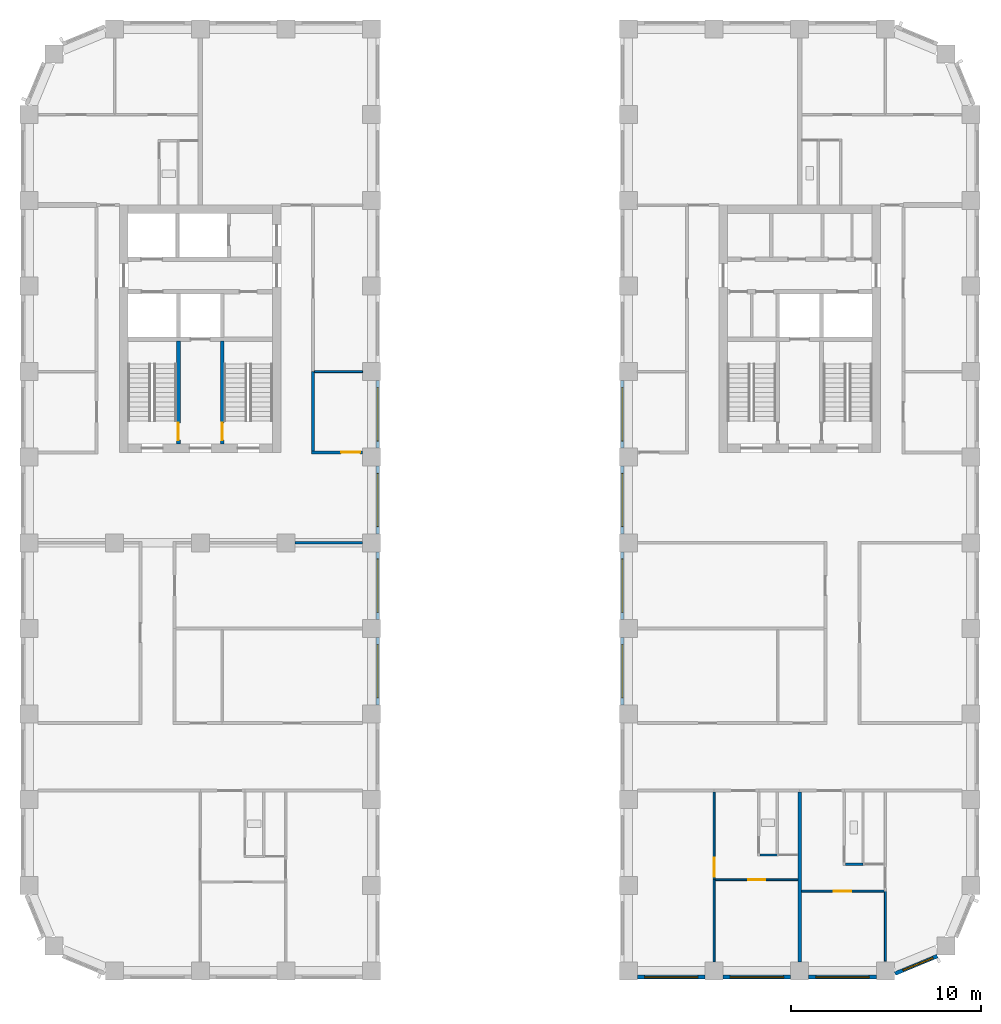
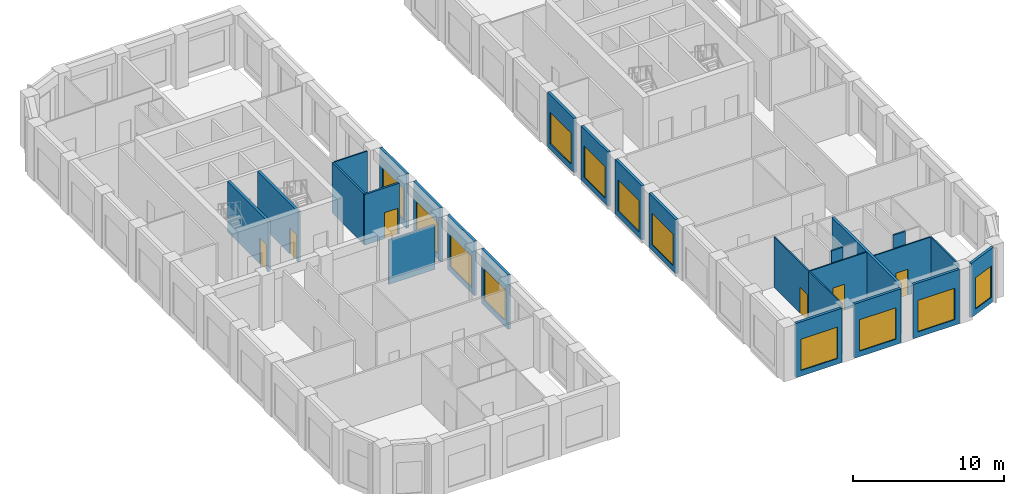
# One storey, part 4 of 13: 26 walls, 12 windows, 6 doors, 18 openings.
"""IFC4 building model written with IfcOpenShell, lengths in metres."""

from ifc_helpers import new_model, si_unit, direction, frame, frame_2d, origin, place, context, subcontext, project, spatial, rectangle, extrude, material, layer, layer_set, type_object, element, fill, save


model = new_model("IFC4")

# Units and contexts
model_context = context("Model", 3, precision=1e-05, world=origin(), true_north=direction((0.0, 1.0)))
body_context = subcontext(model_context, "Body", "Model", "MODEL_VIEW")
ifc_project = project(units=[si_unit("LENGTHUNIT", "METRE"), si_unit("AREAUNIT", "SQUARE_METRE"), si_unit("VOLUMEUNIT", "CUBIC_METRE"), si_unit("PLANEANGLEUNIT", "RADIAN"), si_unit("MASSUNIT", "GRAM", prefix="KILO")], contexts=[model_context])

# Site, building, storey
site_placement = place(None, origin())
site = spatial("IfcSite", under=ifc_project, at=site_placement, CompositionType="ELEMENT")
building_placement = place(site_placement, origin())
building = spatial("IfcBuilding", under=site, at=building_placement, Name="Girih Gate Residences", CompositionType="ELEMENT")
storey_placement = place(building_placement, frame((0.0, 0.0, 150.60009765625)))
storey = spatial("IfcBuildingStorey", under=building, at=storey_placement, Name="L42", CompositionType="ELEMENT", Elevation=150.60009765625)

# Walls
ifc_material_1 = material(Name="Gypsum board on steel studs", Category="steel")
ifc_layer_1 = layer(ifc_material_1, 0.14990234375)
ifc_layer_set_1 = layer_set([ifc_layer_1], Name="Compartment wall 150 mm")
wall_type_1 = type_object("IfcWallType", Name="Compartment wall 150 mm", PredefinedType="PARTITIONING", material=ifc_layer_set_1)
wall_1_placement = place(storey_placement, frame((13.97509765625, 22.5, 0.0), z_axis=(0.0, 0.0, 1.0), x_axis=(1.0, 0.0, 0.0)))
element("IfcWall", 1, at=wall_1_placement, inside=storey, type_object=wall_type_1, Name="L42 partition", PredefinedType="PARTITIONING", context=body_context, shape_type="SweptSolid", body=[
    extrude(rectangle(XDim=3.5498046875, YDim=0.14990234375, at=frame_2d((1.77490234375, 0.0))), origin(), (0.0, 0.0, 1.0), 3.579833984375),
])
wall_2_placement = place(storey_placement, frame((14.925048828125, 27.324951171875, 0.0), z_axis=(0.0, 0.0, 1.0), x_axis=(0.0, 1.0, 0.0)))
element("IfcWall", 2, at=wall_2_placement, inside=storey, type_object=wall_type_1, Name="L42 partition", PredefinedType="PARTITIONING", context=body_context, shape_type="SweptSolid", body=[
    extrude(rectangle(XDim=4.175048828125, YDim=0.14990234375, at=frame_2d((2.08740234375, 0.0))), origin(), (0.0, 0.0, 1.0), 4.099853515625),
])

# Wall, opening, door
wall_3_placement = place(storey_placement, frame((14.85009765625, 27.25, 0.0), z_axis=(0.0, 0.0, 1.0), x_axis=(1.0, 0.0, 0.0)))
wall_3 = element("IfcWall", 3, at=wall_3_placement, inside=storey, type_object=wall_type_1, Name="L42 partition", PredefinedType="PARTITIONING", context=body_context, shape_type="SweptSolid", body=[
    extrude(rectangle(XDim=2.6748046875, YDim=0.14990234375, at=frame_2d((1.33740234375, 0.0))), origin(), (0.0, 0.0, 1.0), 4.099853515625),
])
opening_1_placement = place(wall_3_placement, frame((1.544921875, 0.0, 0.0)))
opening_1 = element("IfcOpeningElement", 4, at=opening_1_placement, cuts=wall_3, Name="Opening A42-039", PredefinedType="OPENING", context=body_context, shape_type="SweptSolid", body=[
    extrude(rectangle(XDim=1.0, YDim=2.10009765625, at=frame_2d((0.5, 1.050048828125))), frame((0.0, 0.0849609375, 0.0), z_axis=(0.0, -1.0, 0.0), x_axis=(1.0, 0.0, 0.0)), (0.0, 0.0, 1.0), 0.169921875),
])
ifc_material_2 = material(Name="Timber, fire-rated core", Category="wood")
door_type_1 = type_object("IfcDoorType", Name="Amenity room door 1000x2100 FD30S", OperationType="NOTDEFINED", PredefinedType="DOOR", material=ifc_material_2)
door_1_placement = place(opening_1_placement, origin())
door_1 = element("IfcDoor", 5, at=door_1_placement, inside=storey, type_object=door_type_1, Name="Door A42-039", OperationType="SINGLE_SWING_RIGHT", OverallHeight=2.10009765625, OverallWidth=1.0, PredefinedType="DOOR", context=body_context, shape_type="SweptSolid", body=[
    extrude(rectangle(XDim=1.0, YDim=2.10009765625, at=frame_2d((0.5, 1.050048828125))), frame((0.0, 0.02490234375, 0.0), z_axis=(0.0, -1.0, 0.0), x_axis=(1.0, 0.0, 0.0)), (0.0, 0.0, 1.0), 0.050048828125),
])
fill(opening_1, door_1)

ifc_layer_2 = layer(ifc_material_1, 0.10009765625)
ifc_layer_set_2 = layer_set([ifc_layer_2], Name="Partition 100 mm")
wall_type_2 = type_object("IfcWallType", Name="Partition 100 mm", PredefinedType="PARTITIONING", material=ifc_layer_set_2)
wall_4_placement = place(storey_placement, frame((44.949951171875, 4.195068359375, 0.0), z_axis=(0.0, 0.0, 1.0), x_axis=(-1.0, 0.0, 0.0)))
wall_4 = element("IfcWall", 6, at=wall_4_placement, inside=storey, type_object=wall_type_2, Name="L42 partition", PredefinedType="PARTITIONING", context=body_context, shape_type="SweptSolid", body=[
    extrude(rectangle(XDim=4.349853515625, YDim=0.10009765625, at=frame_2d((2.1748046875, 0.0))), origin(), (0.0, 0.0, 1.0), 4.099853515625),
])
opening_2_placement = place(wall_4_placement, frame((1.75, 0.0, 0.0)))
opening_2 = element("IfcOpeningElement", 7, at=opening_2_placement, cuts=wall_4, Name="Opening A42-013", PredefinedType="OPENING", context=body_context, shape_type="SweptSolid", body=[
    extrude(rectangle(XDim=0.89990234375, YDim=2.10009765625, at=frame_2d((0.449951171875, 1.050048828125))), frame((0.0, 0.06005859375, 0.0), z_axis=(0.0, -1.0, 0.0), x_axis=(1.0, 0.0, 0.0)), (0.0, 0.0, 1.0), 0.1201171875),
])
ifc_material_3 = material(Name="Timber", Category="wood")
door_type_2 = type_object("IfcDoorType", Name="Bedroom door 900x2100", OperationType="NOTDEFINED", PredefinedType="DOOR", material=ifc_material_3)
door_2_placement = place(opening_2_placement, origin())
door_2 = element("IfcDoor", 8, at=door_2_placement, inside=storey, type_object=door_type_2, Name="Door A42-013", OperationType="SINGLE_SWING_RIGHT", OverallHeight=2.10009765625, OverallWidth=0.89990234375, PredefinedType="DOOR", context=body_context, shape_type="SweptSolid", body=[
    extrude(rectangle(XDim=0.89990234375, YDim=2.10009765625, at=frame_2d((0.449951171875, 1.050048828125))), frame((0.0, 0.02490234375, 0.0), z_axis=(0.0, -1.0, 0.0), x_axis=(1.0, 0.0, 0.0)), (0.0, 0.0, 1.0), 0.050048828125),
])
fill(opening_2, door_2)

# Wall
wall_5_placement = place(storey_placement, frame((45.0, 0.51416015625, 0.0), z_axis=(0.0, 0.0, 1.0), x_axis=(0.0, 1.0, 0.0)))
element("IfcWall", 9, at=wall_5_placement, inside=storey, type_object=wall_type_2, Name="L42 partition", PredefinedType="PARTITIONING", context=body_context, shape_type="SweptSolid", body=[
    extrude(rectangle(XDim=3.680908203125, YDim=0.10009765625, at=frame_2d((1.84033203125, 0.0))), origin(), (0.0, 0.0, 1.0), 4.099853515625),
])

# Wall, opening, door
wall_6_placement = place(storey_placement, frame((40.39990234375, 4.794921875, 0.0), z_axis=(0.0, 0.0, 1.0), x_axis=(-1.0, 0.0, 0.0)))
wall_6 = element("IfcWall", 10, at=wall_6_placement, inside=storey, type_object=wall_type_2, Name="L42 partition", PredefinedType="PARTITIONING", context=body_context, shape_type="SweptSolid", body=[
    extrude(rectangle(XDim=4.349853515625, YDim=0.10009765625, at=frame_2d((2.1748046875, 0.0))), origin(), (0.0, 0.0, 1.0), 4.099853515625),
])
opening_3_placement = place(wall_6_placement, frame((1.699951171875, 0.0, 0.0)))
opening_3 = element("IfcOpeningElement", 11, at=opening_3_placement, cuts=wall_6, Name="Opening A42-018", PredefinedType="OPENING", context=body_context, shape_type="SweptSolid", body=[
    extrude(rectangle(XDim=0.89990234375, YDim=2.10009765625, at=frame_2d((0.449951171875, 1.050048828125))), frame((0.0, 0.06005859375, 0.0), z_axis=(0.0, -1.0, 0.0), x_axis=(1.0, 0.0, 0.0)), (0.0, 0.0, 1.0), 0.1201171875),
])
door_3_placement = place(opening_3_placement, origin())
door_3 = element("IfcDoor", 12, at=door_3_placement, inside=storey, type_object=door_type_2, Name="Door A42-018", OperationType="SINGLE_SWING_LEFT", OverallHeight=2.10009765625, OverallWidth=0.89990234375, PredefinedType="DOOR", context=body_context, shape_type="SweptSolid", body=[
    extrude(rectangle(XDim=0.89990234375, YDim=2.10009765625, at=frame_2d((0.449951171875, 1.050048828125))), frame((0.0, 0.02490234375, 0.0), z_axis=(0.0, -1.0, 0.0), x_axis=(1.0, 0.0, 0.0)), (0.0, 0.0, 1.0), 0.050048828125),
])
fill(opening_3, door_3)

# Wall
wall_7_placement = place(storey_placement, frame((36.0, 0.47509765625, 0.0), z_axis=(0.0, 0.0, 1.0), x_axis=(0.0, 1.0, 0.0)))
element("IfcWall", 13, at=wall_7_placement, inside=storey, type_object=wall_type_2, Name="L42 partition", PredefinedType="PARTITIONING", context=body_context, shape_type="SweptSolid", body=[
    extrude(rectangle(XDim=4.31982421875, YDim=0.10009765625, at=frame_2d((2.159912109375, 0.0))), origin(), (0.0, 0.0, 1.0), 4.099853515625),
])

# Wall, opening, door
wall_8_placement = place(storey_placement, frame((36.0, 4.794921875, 0.0), z_axis=(0.0, 0.0, 1.0), x_axis=(0.0, 1.0, 0.0)))
wall_8 = element("IfcWall", 14, at=wall_8_placement, inside=storey, type_object=wall_type_2, Name="L42 partition", PredefinedType="PARTITIONING", context=body_context, shape_type="SweptSolid", body=[
    extrude(rectangle(XDim=4.60498046875, YDim=0.10009765625, at=frame_2d((2.302490234375, 0.0))), origin(), (0.0, 0.0, 1.0), 4.099853515625),
])
opening_4_placement = place(wall_8_placement, frame((0.14990234375, 0.0, 0.0)))
opening_4 = element("IfcOpeningElement", 15, at=opening_4_placement, cuts=wall_8, Name="Opening A42-020", PredefinedType="OPENING", context=body_context, shape_type="SweptSolid", body=[
    extrude(rectangle(XDim=1.0, YDim=2.10009765625, at=frame_2d((0.5, 1.050048828125))), frame((0.0, 0.06005859375, 0.0), z_axis=(0.0, -1.0, 0.0), x_axis=(1.0, 0.0, 0.0)), (0.0, 0.0, 1.0), 0.1201171875),
])
door_type_3 = type_object("IfcDoorType", Name="Living room door 1000x2100", OperationType="NOTDEFINED", PredefinedType="DOOR", material=ifc_material_3)
door_4_placement = place(opening_4_placement, origin())
door_4 = element("IfcDoor", 16, at=door_4_placement, inside=storey, type_object=door_type_3, Name="Door A42-020", OperationType="SINGLE_SWING_LEFT", OverallHeight=2.10009765625, OverallWidth=1.0, PredefinedType="DOOR", context=body_context, shape_type="SweptSolid", body=[
    extrude(rectangle(XDim=1.0, YDim=2.10009765625, at=frame_2d((0.5, 1.050048828125))), frame((0.0, 0.02490234375, 0.0), z_axis=(0.0, -1.0, 0.0), x_axis=(1.0, 0.0, 0.0)), (0.0, 0.0, 1.0), 0.050048828125),
])
fill(opening_4, door_4)

# Walls
wall_9_placement = place(storey_placement, frame((15.0, 31.5, 0.0), z_axis=(0.0, 0.0, 1.0), x_axis=(1.0, 0.0, 0.0)))
element("IfcWall", 17, at=wall_9_placement, inside=storey, type_object=wall_type_2, Name="L42 partition", PredefinedType="PARTITIONING", context=body_context, shape_type="SweptSolid", body=[
    extrude(rectangle(XDim=2.52490234375, YDim=0.10009765625, at=frame_2d((1.262451171875, 0.0))), origin(), (0.0, 0.0, 1.0), 4.099853515625),
])
ifc_layer_3 = layer(ifc_material_1, 0.199951171875)
ifc_layer_set_3 = layer_set([ifc_layer_3], Name="Party wall 200 mm")
wall_type_3 = type_object("IfcWallType", Name="Party wall 200 mm", PredefinedType="PARTITIONING", material=ifc_layer_set_3)
wall_10_placement = place(storey_placement, frame((40.5, 0.47509765625, 0.0), z_axis=(0.0, 0.0, 1.0), x_axis=(0.0, 1.0, 0.0)))
element("IfcWall", 18, at=wall_10_placement, inside=storey, type_object=wall_type_3, Name="L42 partition", PredefinedType="PARTITIONING", context=body_context, shape_type="SweptSolid", body=[
    extrude(rectangle(XDim=8.9248046875, YDim=0.199951171875, at=frame_2d((4.46240234375, 0.0))), origin(), (0.0, 0.0, 1.0), 4.099853515625),
])

# Wall, opening, window
ifc_material_4 = material(Name="Precast concrete C50/60", Category="concrete")
ifc_layer_4 = layer(ifc_material_4, 0.06005859375, Name="Outer leaf")
ifc_material_5 = material(Name="Rigid PIR insulation")
ifc_layer_5 = layer(ifc_material_5, 0.090087890625, Name="Insulation")
ifc_material_6 = material(Name="Precast concrete C40/50", Category="concrete")
ifc_layer_6 = layer(ifc_material_6, 0.050048828125, Name="Inner leaf")
ifc_layer_set_4 = layer_set([ifc_layer_4, ifc_layer_5, ifc_layer_6], Name="Precast concrete C50/60 external wall 200")
wall_type_4 = type_object("IfcWallType", Name="Precast concrete C50/60 external wall 200", PredefinedType="SOLIDWALL", material=ifc_layer_set_4)
wall_11_placement = place(storey_placement, frame((18.324951171875, 17.52490234375, 0.0), z_axis=(0.0, 0.0, 1.0), x_axis=(0.0, -1.0, 0.0)))
wall_11 = element("IfcWall", 19, at=wall_11_placement, inside=storey, type_object=wall_type_4, Name="External wall E0180_0000.3", PredefinedType="SOLIDWALL", context=body_context, shape_type="SweptSolid", body=[
    extrude(rectangle(XDim=3.5498046875, YDim=0.199951171875, at=frame_2d((1.77490234375, 0.0))), origin(), (0.0, 0.0, 1.0), 4.39990234375),
])
opening_5_placement = place(wall_11_placement, frame((0.375, 0.0, 0.449951171875)))
opening_5 = element("IfcOpeningElement", 20, at=opening_5_placement, cuts=wall_11, Name="Opening W-6A", PredefinedType="OPENING", context=body_context, shape_type="SweptSolid", body=[
    extrude(rectangle(XDim=2.800048828125, YDim=2.550048828125, at=frame_2d((1.39990234375, 1.27490234375))), frame((0.0, 0.10986328125, 0.0), z_axis=(0.0, -1.0, 0.0), x_axis=(1.0, 0.0, 0.0)), (0.0, 0.0, 1.0), 0.219970703125),
])
ifc_material_7 = material(Name="Double glazing in aluminium frame", Category="aluminium")
window_type_1 = type_object("IfcWindowType", Name="Window W-6A 2800x2550", PartitioningType="SINGLE_PANEL", PredefinedType="WINDOW", material=ifc_material_7)
window_1_placement = place(opening_5_placement, origin())
window_1 = element("IfcWindow", 21, at=window_1_placement, inside=storey, type_object=window_type_1, Name="Window W-6A E0180_0000.3", OverallHeight=2.550048828125, OverallWidth=2.800048828125, PartitioningType="SINGLE_PANEL", PredefinedType="WINDOW", context=body_context, shape_type="SweptSolid", body=[
    extrude(rectangle(XDim=2.800048828125, YDim=2.550048828125, at=frame_2d((1.39990234375, 1.27490234375))), frame((0.0, 0.030029296875, 0.0), z_axis=(0.0, -1.0, 0.0), x_axis=(1.0, 0.0, 0.0)), (0.0, 0.0, 1.0), 0.06005859375),
])
fill(opening_5, window_1)

wall_12_placement = place(storey_placement, frame((18.324951171875, 22.02490234375, 0.0), z_axis=(0.0, 0.0, 1.0), x_axis=(0.0, -1.0, 0.0)))
wall_12 = element("IfcWall", 22, at=wall_12_placement, inside=storey, type_object=wall_type_4, Name="External wall E0180_0000.4", PredefinedType="SOLIDWALL", context=body_context, shape_type="SweptSolid", body=[
    extrude(rectangle(XDim=3.5498046875, YDim=0.199951171875, at=frame_2d((1.77490234375, 0.0))), origin(), (0.0, 0.0, 1.0), 4.39990234375),
])
opening_6_placement = place(wall_12_placement, frame((0.375, 0.0, 0.449951171875)))
opening_6 = element("IfcOpeningElement", 23, at=opening_6_placement, cuts=wall_12, Name="Opening W-6A", PredefinedType="OPENING", context=body_context, shape_type="SweptSolid", body=[
    extrude(rectangle(XDim=2.800048828125, YDim=2.550048828125, at=frame_2d((1.39990234375, 1.27490234375))), frame((0.0, 0.10986328125, 0.0), z_axis=(0.0, -1.0, 0.0), x_axis=(1.0, 0.0, 0.0)), (0.0, 0.0, 1.0), 0.219970703125),
])
window_2_placement = place(opening_6_placement, origin())
window_2 = element("IfcWindow", 24, at=window_2_placement, inside=storey, type_object=window_type_1, Name="Window W-6A E0180_0000.4", OverallHeight=2.550048828125, OverallWidth=2.800048828125, PartitioningType="SINGLE_PANEL", PredefinedType="WINDOW", context=body_context, shape_type="SweptSolid", body=[
    extrude(rectangle(XDim=2.800048828125, YDim=2.550048828125, at=frame_2d((1.39990234375, 1.27490234375))), frame((0.0, 0.030029296875, 0.0), z_axis=(0.0, -1.0, 0.0), x_axis=(1.0, 0.0, 0.0)), (0.0, 0.0, 1.0), 0.06005859375),
])
fill(opening_6, window_2)

wall_13_placement = place(storey_placement, frame((18.324951171875, 26.52490234375, 0.0), z_axis=(0.0, 0.0, 1.0), x_axis=(0.0, -1.0, 0.0)))
wall_13 = element("IfcWall", 25, at=wall_13_placement, inside=storey, type_object=wall_type_4, Name="External wall E0180_0000.5", PredefinedType="SOLIDWALL", context=body_context, shape_type="SweptSolid", body=[
    extrude(rectangle(XDim=3.5498046875, YDim=0.199951171875, at=frame_2d((1.77490234375, 0.0))), origin(), (0.0, 0.0, 1.0), 4.39990234375),
])
opening_7_placement = place(wall_13_placement, frame((0.375, 0.0, 0.449951171875)))
opening_7 = element("IfcOpeningElement", 26, at=opening_7_placement, cuts=wall_13, Name="Opening W-6A", PredefinedType="OPENING", context=body_context, shape_type="SweptSolid", body=[
    extrude(rectangle(XDim=2.800048828125, YDim=2.550048828125, at=frame_2d((1.39990234375, 1.27490234375))), frame((0.0, 0.10986328125, 0.0), z_axis=(0.0, -1.0, 0.0), x_axis=(1.0, 0.0, 0.0)), (0.0, 0.0, 1.0), 0.219970703125),
])
window_3_placement = place(opening_7_placement, origin())
window_3 = element("IfcWindow", 27, at=window_3_placement, inside=storey, type_object=window_type_1, Name="Window W-6A E0180_0000.5", OverallHeight=2.550048828125, OverallWidth=2.800048828125, PartitioningType="SINGLE_PANEL", PredefinedType="WINDOW", context=body_context, shape_type="SweptSolid", body=[
    extrude(rectangle(XDim=2.800048828125, YDim=2.550048828125, at=frame_2d((1.39990234375, 1.27490234375))), frame((0.0, 0.030029296875, 0.0), z_axis=(0.0, -1.0, 0.0), x_axis=(1.0, 0.0, 0.0)), (0.0, 0.0, 1.0), 0.06005859375),
])
fill(opening_7, window_3)

wall_14_placement = place(storey_placement, frame((18.324951171875, 31.02490234375, 0.0), z_axis=(0.0, 0.0, 1.0), x_axis=(0.0, -1.0, 0.0)))
wall_14 = element("IfcWall", 28, at=wall_14_placement, inside=storey, type_object=wall_type_4, Name="External wall E0180_0000.6", PredefinedType="SOLIDWALL", context=body_context, shape_type="SweptSolid", body=[
    extrude(rectangle(XDim=3.5498046875, YDim=0.199951171875, at=frame_2d((1.77490234375, 0.0))), origin(), (0.0, 0.0, 1.0), 4.39990234375),
])
opening_8_placement = place(wall_14_placement, frame((0.375, 0.0, 0.449951171875)))
opening_8 = element("IfcOpeningElement", 29, at=opening_8_placement, cuts=wall_14, Name="Opening W-6A", PredefinedType="OPENING", context=body_context, shape_type="SweptSolid", body=[
    extrude(rectangle(XDim=2.800048828125, YDim=2.550048828125, at=frame_2d((1.39990234375, 1.27490234375))), frame((0.0, 0.10986328125, 0.0), z_axis=(0.0, -1.0, 0.0), x_axis=(1.0, 0.0, 0.0)), (0.0, 0.0, 1.0), 0.219970703125),
])
window_4_placement = place(opening_8_placement, origin())
window_4 = element("IfcWindow", 30, at=window_4_placement, inside=storey, type_object=window_type_1, Name="Window W-6A E0180_0000.6", OverallHeight=2.550048828125, OverallWidth=2.800048828125, PartitioningType="SINGLE_PANEL", PredefinedType="WINDOW", context=body_context, shape_type="SweptSolid", body=[
    extrude(rectangle(XDim=2.800048828125, YDim=2.550048828125, at=frame_2d((1.39990234375, 1.27490234375))), frame((0.0, 0.030029296875, 0.0), z_axis=(0.0, -1.0, 0.0), x_axis=(1.0, 0.0, 0.0)), (0.0, 0.0, 1.0), 0.06005859375),
])
fill(opening_8, window_4)

wall_15_placement = place(storey_placement, frame((35.52490234375, -0.324951171875, 0.0), z_axis=(0.0, 0.0, 1.0), x_axis=(-1.0, 0.0, 0.0)))
wall_15 = element("IfcWall", 31, at=wall_15_placement, inside=storey, type_object=wall_type_4, Name="External wall S0315_0000.0", PredefinedType="SOLIDWALL", context=body_context, shape_type="SweptSolid", body=[
    extrude(rectangle(XDim=3.5498046875, YDim=0.199951171875, at=frame_2d((1.77490234375, 0.0))), origin(), (0.0, 0.0, 1.0), 4.39990234375),
])
opening_9_placement = place(wall_15_placement, frame((0.375, 0.0, 0.449951171875)))
opening_9 = element("IfcOpeningElement", 32, at=opening_9_placement, cuts=wall_15, Name="Opening W-6A", PredefinedType="OPENING", context=body_context, shape_type="SweptSolid", body=[
    extrude(rectangle(XDim=2.800048828125, YDim=2.550048828125, at=frame_2d((1.39990234375, 1.27490234375))), frame((0.0, 0.10986328125, 0.0), z_axis=(0.0, -1.0, 0.0), x_axis=(1.0, 0.0, 0.0)), (0.0, 0.0, 1.0), 0.219970703125),
])
window_5_placement = place(opening_9_placement, origin())
window_5 = element("IfcWindow", 33, at=window_5_placement, inside=storey, type_object=window_type_1, Name="Window W-6A S0315_0000.0", OverallHeight=2.550048828125, OverallWidth=2.800048828125, PartitioningType="SINGLE_PANEL", PredefinedType="WINDOW", context=body_context, shape_type="SweptSolid", body=[
    extrude(rectangle(XDim=2.800048828125, YDim=2.550048828125, at=frame_2d((1.39990234375, 1.27490234375))), frame((0.0, 0.030029296875, 0.0), z_axis=(0.0, -1.0, 0.0), x_axis=(1.0, 0.0, 0.0)), (0.0, 0.0, 1.0), 0.06005859375),
])
fill(opening_9, window_5)

wall_16_placement = place(storey_placement, frame((40.02490234375, -0.324951171875, 0.0), z_axis=(0.0, 0.0, 1.0), x_axis=(-1.0, 0.0, 0.0)))
wall_16 = element("IfcWall", 34, at=wall_16_placement, inside=storey, type_object=wall_type_4, Name="External wall S0315_0000.1", PredefinedType="SOLIDWALL", context=body_context, shape_type="SweptSolid", body=[
    extrude(rectangle(XDim=3.5498046875, YDim=0.199951171875, at=frame_2d((1.77490234375, 0.0))), origin(), (0.0, 0.0, 1.0), 4.39990234375),
])
opening_10_placement = place(wall_16_placement, frame((0.375, 0.0, 0.449951171875)))
opening_10 = element("IfcOpeningElement", 35, at=opening_10_placement, cuts=wall_16, Name="Opening W-6A", PredefinedType="OPENING", context=body_context, shape_type="SweptSolid", body=[
    extrude(rectangle(XDim=2.800048828125, YDim=2.550048828125, at=frame_2d((1.39990234375, 1.27490234375))), frame((0.0, 0.10986328125, 0.0), z_axis=(0.0, -1.0, 0.0), x_axis=(1.0, 0.0, 0.0)), (0.0, 0.0, 1.0), 0.219970703125),
])
window_6_placement = place(opening_10_placement, origin())
window_6 = element("IfcWindow", 36, at=window_6_placement, inside=storey, type_object=window_type_1, Name="Window W-6A S0315_0000.1", OverallHeight=2.550048828125, OverallWidth=2.800048828125, PartitioningType="SINGLE_PANEL", PredefinedType="WINDOW", context=body_context, shape_type="SweptSolid", body=[
    extrude(rectangle(XDim=2.800048828125, YDim=2.550048828125, at=frame_2d((1.39990234375, 1.27490234375))), frame((0.0, 0.030029296875, 0.0), z_axis=(0.0, -1.0, 0.0), x_axis=(1.0, 0.0, 0.0)), (0.0, 0.0, 1.0), 0.06005859375),
])
fill(opening_10, window_6)

wall_17_placement = place(storey_placement, frame((44.52490234375, -0.324951171875, 0.0), z_axis=(0.0, 0.0, 1.0), x_axis=(-1.0, 0.0, 0.0)))
wall_17 = element("IfcWall", 37, at=wall_17_placement, inside=storey, type_object=wall_type_4, Name="External wall S0315_0000.2", PredefinedType="SOLIDWALL", context=body_context, shape_type="SweptSolid", body=[
    extrude(rectangle(XDim=3.5498046875, YDim=0.199951171875, at=frame_2d((1.77490234375, 0.0))), origin(), (0.0, 0.0, 1.0), 4.39990234375),
])
opening_11_placement = place(wall_17_placement, frame((0.375, 0.0, 0.449951171875)))
opening_11 = element("IfcOpeningElement", 38, at=opening_11_placement, cuts=wall_17, Name="Opening W-6A", PredefinedType="OPENING", context=body_context, shape_type="SweptSolid", body=[
    extrude(rectangle(XDim=2.800048828125, YDim=2.550048828125, at=frame_2d((1.39990234375, 1.27490234375))), frame((0.0, 0.10986328125, 0.0), z_axis=(0.0, -1.0, 0.0), x_axis=(1.0, 0.0, 0.0)), (0.0, 0.0, 1.0), 0.219970703125),
])
window_7_placement = place(opening_11_placement, origin())
window_7 = element("IfcWindow", 39, at=window_7_placement, inside=storey, type_object=window_type_1, Name="Window W-6A S0315_0000.2", OverallHeight=2.550048828125, OverallWidth=2.800048828125, PartitioningType="SINGLE_PANEL", PredefinedType="WINDOW", context=body_context, shape_type="SweptSolid", body=[
    extrude(rectangle(XDim=2.800048828125, YDim=2.550048828125, at=frame_2d((1.39990234375, 1.27490234375))), frame((0.0, 0.030029296875, 0.0), z_axis=(0.0, -1.0, 0.0), x_axis=(1.0, 0.0, 0.0)), (0.0, 0.0, 1.0), 0.06005859375),
])
fill(opening_11, window_7)

wall_18_placement = place(storey_placement, frame((47.73291015625, 0.7802734375, 0.0), z_axis=(0.0, 0.0, 1.0), x_axis=(-0.923880599843, -0.382680855588, 0.0)))
wall_18 = element("IfcWall", 40, at=wall_18_placement, inside=storey, type_object=wall_type_4, Name="External wall SE0450_0000.0", PredefinedType="SOLIDWALL", context=body_context, shape_type="SweptSolid", body=[
    extrude(rectangle(XDim=2.402587890625, YDim=0.199951171875, at=frame_2d((1.201171875, 0.0))), origin(), (0.0, 0.0, 1.0), 4.39990234375),
])
opening_12_placement = place(wall_18_placement, frame((0.25146484375, 0.0, 0.449951171875)))
opening_12 = element("IfcOpeningElement", 41, at=opening_12_placement, cuts=wall_18, Name="Opening W-2F", PredefinedType="OPENING", context=body_context, shape_type="SweptSolid", body=[
    extrude(rectangle(XDim=1.699951171875, YDim=2.550048828125, at=frame_2d((0.85009765625, 1.27490234375))), frame((0.0, 0.10986328125, 0.0), z_axis=(0.0, -1.0, 0.0), x_axis=(1.0, 0.0, 0.0)), (0.0, 0.0, 1.0), 0.219970703125),
])
window_type_2 = type_object("IfcWindowType", Name="Window W-2F 1700x2550", PartitioningType="SINGLE_PANEL", PredefinedType="WINDOW", material=ifc_material_7)
window_8_placement = place(opening_12_placement, origin())
window_8 = element("IfcWindow", 42, at=window_8_placement, inside=storey, type_object=window_type_2, Name="Window W-2F SE0450_0000.0", OverallHeight=2.550048828125, OverallWidth=1.699951171875, PartitioningType="SINGLE_PANEL", PredefinedType="WINDOW", context=body_context, shape_type="SweptSolid", body=[
    extrude(rectangle(XDim=1.699951171875, YDim=2.550048828125, at=frame_2d((0.85009765625, 1.27490234375))), frame((0.0, 0.030029296875, 0.0), z_axis=(0.0, -1.0, 0.0), x_axis=(1.0, 0.0, 0.0)), (0.0, 0.0, 1.0), 0.06005859375),
])
fill(opening_12, window_8)

wall_19_placement = place(storey_placement, frame((31.175048828125, 27.47509765625, 0.0), z_axis=(0.0, 0.0, 1.0), x_axis=(0.0, 1.0, 0.0)))
wall_19 = element("IfcWall", 43, at=wall_19_placement, inside=storey, type_object=wall_type_4, Name="External wall W0315_0495.4", PredefinedType="SOLIDWALL", context=body_context, shape_type="SweptSolid", body=[
    extrude(rectangle(XDim=3.5498046875, YDim=0.199951171875, at=frame_2d((1.77490234375, 0.0))), origin(), (0.0, 0.0, 1.0), 4.39990234375),
])
opening_13_placement = place(wall_19_placement, frame((0.375, 0.0, 0.449951171875)))
opening_13 = element("IfcOpeningElement", 44, at=opening_13_placement, cuts=wall_19, Name="Opening W-6A", PredefinedType="OPENING", context=body_context, shape_type="SweptSolid", body=[
    extrude(rectangle(XDim=2.800048828125, YDim=2.550048828125, at=frame_2d((1.39990234375, 1.27490234375))), frame((0.0, 0.10986328125, 0.0), z_axis=(0.0, -1.0, 0.0), x_axis=(1.0, 0.0, 0.0)), (0.0, 0.0, 1.0), 0.219970703125),
])
window_9_placement = place(opening_13_placement, origin())
window_9 = element("IfcWindow", 45, at=window_9_placement, inside=storey, type_object=window_type_1, Name="Window W-6A W0315_0495.4", OverallHeight=2.550048828125, OverallWidth=2.800048828125, PartitioningType="SINGLE_PANEL", PredefinedType="WINDOW", context=body_context, shape_type="SweptSolid", body=[
    extrude(rectangle(XDim=2.800048828125, YDim=2.550048828125, at=frame_2d((1.39990234375, 1.27490234375))), frame((0.0, 0.030029296875, 0.0), z_axis=(0.0, -1.0, 0.0), x_axis=(1.0, 0.0, 0.0)), (0.0, 0.0, 1.0), 0.06005859375),
])
fill(opening_13, window_9)

wall_20_placement = place(storey_placement, frame((31.175048828125, 22.97509765625, 0.0), z_axis=(0.0, 0.0, 1.0), x_axis=(0.0, 1.0, 0.0)))
wall_20 = element("IfcWall", 46, at=wall_20_placement, inside=storey, type_object=wall_type_4, Name="External wall W0315_0495.5", PredefinedType="SOLIDWALL", context=body_context, shape_type="SweptSolid", body=[
    extrude(rectangle(XDim=3.5498046875, YDim=0.199951171875, at=frame_2d((1.77490234375, 0.0))), origin(), (0.0, 0.0, 1.0), 4.39990234375),
])
opening_14_placement = place(wall_20_placement, frame((0.375, 0.0, 0.449951171875)))
opening_14 = element("IfcOpeningElement", 47, at=opening_14_placement, cuts=wall_20, Name="Opening W-6A", PredefinedType="OPENING", context=body_context, shape_type="SweptSolid", body=[
    extrude(rectangle(XDim=2.800048828125, YDim=2.550048828125, at=frame_2d((1.39990234375, 1.27490234375))), frame((0.0, 0.10986328125, 0.0), z_axis=(0.0, -1.0, 0.0), x_axis=(1.0, 0.0, 0.0)), (0.0, 0.0, 1.0), 0.219970703125),
])
window_10_placement = place(opening_14_placement, origin())
window_10 = element("IfcWindow", 48, at=window_10_placement, inside=storey, type_object=window_type_1, Name="Window W-6A W0315_0495.5", OverallHeight=2.550048828125, OverallWidth=2.800048828125, PartitioningType="SINGLE_PANEL", PredefinedType="WINDOW", context=body_context, shape_type="SweptSolid", body=[
    extrude(rectangle(XDim=2.800048828125, YDim=2.550048828125, at=frame_2d((1.39990234375, 1.27490234375))), frame((0.0, 0.030029296875, 0.0), z_axis=(0.0, -1.0, 0.0), x_axis=(1.0, 0.0, 0.0)), (0.0, 0.0, 1.0), 0.06005859375),
])
fill(opening_14, window_10)

wall_21_placement = place(storey_placement, frame((31.175048828125, 18.47509765625, 0.0), z_axis=(0.0, 0.0, 1.0), x_axis=(0.0, 1.0, 0.0)))
wall_21 = element("IfcWall", 49, at=wall_21_placement, inside=storey, type_object=wall_type_4, Name="External wall W0315_0495.6", PredefinedType="SOLIDWALL", context=body_context, shape_type="SweptSolid", body=[
    extrude(rectangle(XDim=3.5498046875, YDim=0.199951171875, at=frame_2d((1.77490234375, 0.0))), origin(), (0.0, 0.0, 1.0), 4.39990234375),
])
opening_15_placement = place(wall_21_placement, frame((0.375, 0.0, 0.449951171875)))
opening_15 = element("IfcOpeningElement", 50, at=opening_15_placement, cuts=wall_21, Name="Opening W-6A", PredefinedType="OPENING", context=body_context, shape_type="SweptSolid", body=[
    extrude(rectangle(XDim=2.800048828125, YDim=2.550048828125, at=frame_2d((1.39990234375, 1.27490234375))), frame((0.0, 0.10986328125, 0.0), z_axis=(0.0, -1.0, 0.0), x_axis=(1.0, 0.0, 0.0)), (0.0, 0.0, 1.0), 0.219970703125),
])
window_11_placement = place(opening_15_placement, origin())
window_11 = element("IfcWindow", 51, at=window_11_placement, inside=storey, type_object=window_type_1, Name="Window W-6A W0315_0495.6", OverallHeight=2.550048828125, OverallWidth=2.800048828125, PartitioningType="SINGLE_PANEL", PredefinedType="WINDOW", context=body_context, shape_type="SweptSolid", body=[
    extrude(rectangle(XDim=2.800048828125, YDim=2.550048828125, at=frame_2d((1.39990234375, 1.27490234375))), frame((0.0, 0.030029296875, 0.0), z_axis=(0.0, -1.0, 0.0), x_axis=(1.0, 0.0, 0.0)), (0.0, 0.0, 1.0), 0.06005859375),
])
fill(opening_15, window_11)

wall_22_placement = place(storey_placement, frame((31.175048828125, 13.97509765625, 0.0), z_axis=(0.0, 0.0, 1.0), x_axis=(0.0, 1.0, 0.0)))
wall_22 = element("IfcWall", 52, at=wall_22_placement, inside=storey, type_object=wall_type_4, Name="External wall W0315_0495.7", PredefinedType="SOLIDWALL", context=body_context, shape_type="SweptSolid", body=[
    extrude(rectangle(XDim=3.5498046875, YDim=0.199951171875, at=frame_2d((1.77490234375, 0.0))), origin(), (0.0, 0.0, 1.0), 4.39990234375),
])
opening_16_placement = place(wall_22_placement, frame((0.375, 0.0, 0.449951171875)))
opening_16 = element("IfcOpeningElement", 53, at=opening_16_placement, cuts=wall_22, Name="Opening W-6A", PredefinedType="OPENING", context=body_context, shape_type="SweptSolid", body=[
    extrude(rectangle(XDim=2.800048828125, YDim=2.550048828125, at=frame_2d((1.39990234375, 1.27490234375))), frame((0.0, 0.10986328125, 0.0), z_axis=(0.0, -1.0, 0.0), x_axis=(1.0, 0.0, 0.0)), (0.0, 0.0, 1.0), 0.219970703125),
])
window_12_placement = place(opening_16_placement, origin())
window_12 = element("IfcWindow", 54, at=window_12_placement, inside=storey, type_object=window_type_1, Name="Window W-6A W0315_0495.7", OverallHeight=2.550048828125, OverallWidth=2.800048828125, PartitioningType="SINGLE_PANEL", PredefinedType="WINDOW", context=body_context, shape_type="SweptSolid", body=[
    extrude(rectangle(XDim=2.800048828125, YDim=2.550048828125, at=frame_2d((1.39990234375, 1.27490234375))), frame((0.0, 0.030029296875, 0.0), z_axis=(0.0, -1.0, 0.0), x_axis=(1.0, 0.0, 0.0)), (0.0, 0.0, 1.0), 0.06005859375),
])
fill(opening_16, window_12)

# Wall, opening, door
ifc_material_8 = material(Name="Concrete C40/50", Category="concrete")
ifc_layer_7 = layer(ifc_material_8, 0.199951171875)
ifc_layer_set_5 = layer_set([ifc_layer_7], Name="Shaft wall 200")
wall_type_5 = type_object("IfcWallType", Name="Shaft wall 200", PredefinedType="SOLIDWALL", material=ifc_layer_set_5)
wall_23_placement = place(storey_placement, frame((7.85009765625, 27.699951171875, 0.0), z_axis=(0.0, 0.0, 1.0), x_axis=(0.0, 1.0, 0.0)))
wall_23 = element("IfcWall", 55, at=wall_23_placement, inside=storey, type_object=wall_type_5, Name="L42 W core wall V1a", PredefinedType="SOLIDWALL", context=body_context, shape_type="SweptSolid", body=[
    extrude(rectangle(XDim=5.400146484375, YDim=0.199951171875, at=frame_2d((2.7001953125, 0.0))), origin(), (0.0, 0.0, 1.0), 4.099853515625),
])
opening_17_placement = place(wall_23_placement, frame((0.199951171875, 0.0, 0.0)))
opening_17 = element("IfcOpeningElement", 56, at=opening_17_placement, cuts=wall_23, Name="Opening D-L42-W-001", PredefinedType="OPENING", context=body_context, shape_type="SweptSolid", body=[
    extrude(rectangle(XDim=0.89990234375, YDim=2.10009765625, at=frame_2d((0.449951171875, 1.050048828125))), frame((0.0, 0.10986328125, 0.0), z_axis=(0.0, -1.0, 0.0), x_axis=(1.0, 0.0, 0.0)), (0.0, 0.0, 1.0), 0.219970703125),
])
ifc_material_9 = material(Name="Painted steel, fire-resisting", Category="steel")
door_type_4 = type_object("IfcDoorType", Name="Fire door 900x2100", OperationType="SINGLE_SWING_LEFT", PredefinedType="DOOR", material=ifc_material_9)
door_5_placement = place(opening_17_placement, origin())
door_5 = element("IfcDoor", 57, at=door_5_placement, inside=storey, type_object=door_type_4, Name="L42 W door stair 1 to firefighting lobby", OperationType="SINGLE_SWING_LEFT", OverallHeight=2.10009765625, OverallWidth=0.89990234375, PredefinedType="DOOR", context=body_context, shape_type="SweptSolid", body=[
    extrude(rectangle(XDim=0.89990234375, YDim=2.10009765625, at=frame_2d((0.449951171875, 1.050048828125))), frame((0.0, 0.02490234375, 0.0), z_axis=(0.0, -1.0, 0.0), x_axis=(1.0, 0.0, 0.0)), (0.0, 0.0, 1.0), 0.050048828125),
])
fill(opening_17, door_5)

wall_24_placement = place(storey_placement, frame((10.14990234375, 27.699951171875, 0.0), z_axis=(0.0, 0.0, 1.0), x_axis=(0.0, 1.0, 0.0)))
wall_24 = element("IfcWall", 58, at=wall_24_placement, inside=storey, type_object=wall_type_5, Name="L42 W core wall V2a", PredefinedType="SOLIDWALL", context=body_context, shape_type="SweptSolid", body=[
    extrude(rectangle(XDim=5.400146484375, YDim=0.199951171875, at=frame_2d((2.7001953125, 0.0))), origin(), (0.0, 0.0, 1.0), 4.099853515625),
])
opening_18_placement = place(wall_24_placement, frame((0.199951171875, 0.0, 0.0)))
opening_18 = element("IfcOpeningElement", 59, at=opening_18_placement, cuts=wall_24, Name="Opening D-L42-W-002", PredefinedType="OPENING", context=body_context, shape_type="SweptSolid", body=[
    extrude(rectangle(XDim=0.89990234375, YDim=2.10009765625, at=frame_2d((0.449951171875, 1.050048828125))), frame((0.0, 0.10986328125, 0.0), z_axis=(0.0, -1.0, 0.0), x_axis=(1.0, 0.0, 0.0)), (0.0, 0.0, 1.0), 0.219970703125),
])
door_6_placement = place(opening_18_placement, origin())
door_6 = element("IfcDoor", 60, at=door_6_placement, inside=storey, type_object=door_type_4, Name="L42 W door stair 2 to firefighting lobby", OperationType="SINGLE_SWING_LEFT", OverallHeight=2.10009765625, OverallWidth=0.89990234375, PredefinedType="DOOR", context=body_context, shape_type="SweptSolid", body=[
    extrude(rectangle(XDim=0.89990234375, YDim=2.10009765625, at=frame_2d((0.449951171875, 1.050048828125))), frame((0.0, 0.02490234375, 0.0), z_axis=(0.0, -1.0, 0.0), x_axis=(1.0, 0.0, 0.0)), (0.0, 0.0, 1.0), 0.050048828125),
])
fill(opening_18, door_6)

# Walls
ifc_layer_8 = layer(ifc_material_1, 0.125)
ifc_layer_set_6 = layer_set([ifc_layer_8], Name="Wet room wall 125 mm")
wall_type_6 = type_object("IfcWallType", Name="Wet room wall 125 mm", PredefinedType="PARTITIONING", material=ifc_layer_set_6)
for number, where, z_axis, x_axis, name in (
    (61, (42.91259765625, 5.614990234375, 0.0), (0.0, 0.0, 1.0), (1.0, 0.0, 0.0), "L42 partition"),
    (62, (38.41259765625, 6.094970703125, 0.0), (0.0, 0.0, 1.0), (1.0, 0.0, 0.0), "L42 partition"),
):
    element("IfcWall", number, at=place(storey_placement, frame(where, z_axis=z_axis, x_axis=x_axis)), inside=storey, type_object=wall_type_6, Name=name, PredefinedType="PARTITIONING", context=body_context, shape_type="SweptSolid", body=[
        extrude(rectangle(XDim=0.914794921875, YDim=0.125, at=frame_2d((0.45751953125, 0.0))), origin(), (0.0, 0.0, 1.0), 4.099853515625),
    ])

save(model, "model.ifc")
